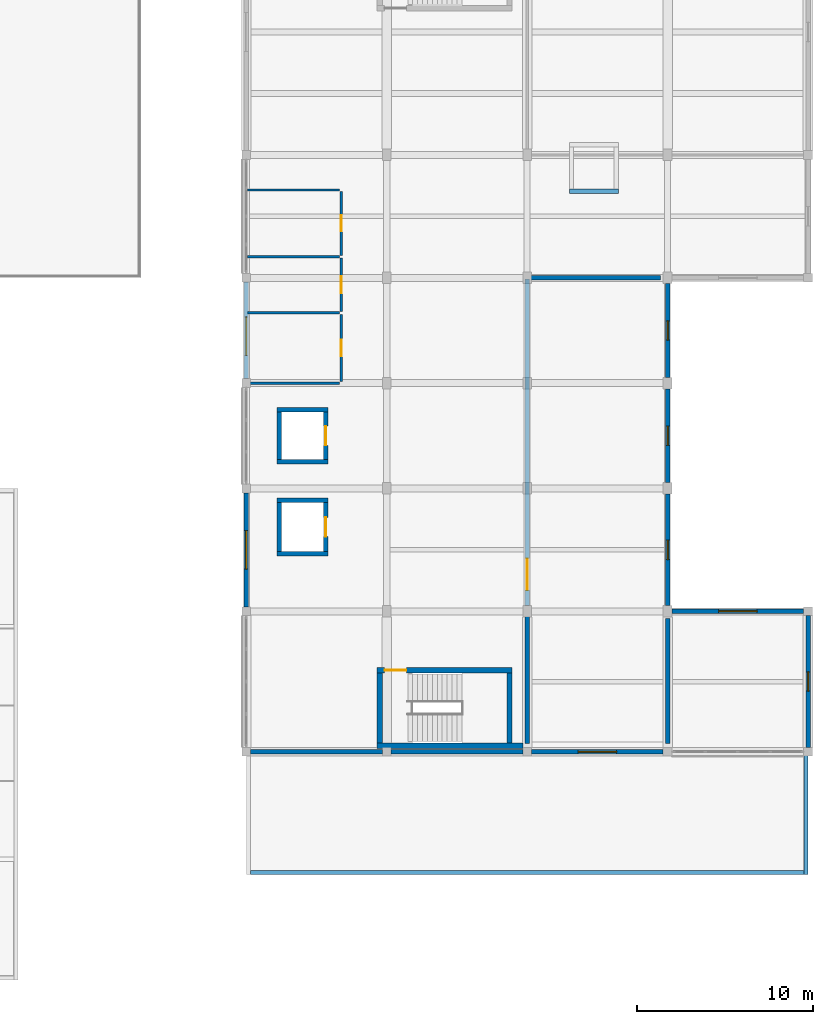
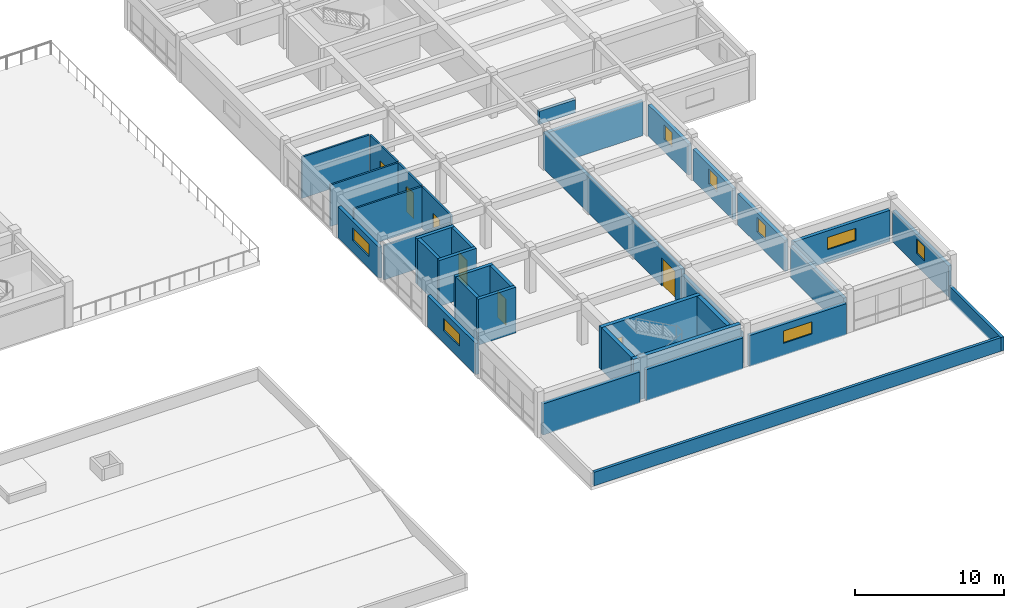
# One storey, part 13 of 22: 36 walls, 8 windows, 7 doors, 15 openings.
"""IFC4 building model written with IfcOpenShell, lengths in metres."""

from ifc_helpers import new_model, si_unit, direction, frame, frame_2d, origin, place, context, subcontext, project, spatial, rectangle, extrude, material, layer, layer_set, type_object, element, fill, save


model = new_model("IFC4")

# Units and contexts
model_context = context("Model", 3, precision=1e-05, world=origin(), true_north=direction((0.0, 1.0)))
body_context = subcontext(model_context, "Body", "Model", "MODEL_VIEW")
ifc_project = project(units=[si_unit("LENGTHUNIT", "METRE"), si_unit("AREAUNIT", "SQUARE_METRE"), si_unit("VOLUMEUNIT", "CUBIC_METRE"), si_unit("PLANEANGLEUNIT", "RADIAN"), si_unit("MASSUNIT", "GRAM", prefix="KILO")], contexts=[model_context])

# Site, building, storey
site_placement = place(None, origin())
site = spatial("IfcSite", under=ifc_project, at=site_placement, CompositionType="ELEMENT")
building_placement = place(site_placement, origin())
building = spatial("IfcBuilding", under=site, at=building_placement, Name="Naurynzar Civic Courthouse", CompositionType="ELEMENT")
storey_placement = place(building_placement, frame((0.0, 0.0, 25.800048828125)))
storey = spatial("IfcBuildingStorey", under=building, at=storey_placement, Name="L07", CompositionType="ELEMENT", Elevation=25.800048828125)

# Walls
ifc_material_1 = material(Name="Acoustic Double-Stud Gypsum Partition")
ifc_layer_1 = layer(ifc_material_1, 0.2548828125)
ifc_layer_set_1 = layer_set([ifc_layer_1], Name="WL-ACOUSTIC-255")
wall_type_1 = type_object("IfcWallType", Name="WL-ACOUSTIC-255", PredefinedType="PARTITIONING", material=ifc_layer_set_1)
wall_1_placement = place(storey_placement, frame((146.080078125, 44.0, 0.0), z_axis=(0.0, 0.0, 1.0), x_axis=(1.0, 0.0, 0.0)))
element("IfcWall", 1, at=wall_1_placement, inside=storey, type_object=wall_type_1, Name="V5 interior partition L07.721", PredefinedType="PARTITIONING", context=body_context, shape_type="SweptSolid", body=[
    extrude(rectangle(XDim=7.52001953125, YDim=0.2548828125, at=frame_2d((3.760009765625, 0.0))), origin(), (0.0, 0.0, 1.0), 2.820068359375),
])
wall_2_placement = place(storey_placement, frame((146.0, 17.47998046875, 0.0), z_axis=(0.0, 0.0, 1.0), x_axis=(0.0, 1.0, 0.0)))
element("IfcWall", 2, at=wall_2_placement, inside=storey, type_object=wall_type_1, Name="V5 interior partition L07.760a", PredefinedType="PARTITIONING", context=body_context, shape_type="SweptSolid", body=[
    extrude(rectangle(XDim=7.844970703125, YDim=0.2548828125, at=frame_2d((3.92236328125, 0.0))), origin(), (0.0, 0.0, 1.0), 2.570068359375),
])

# Wall, opening, door
wall_3_placement = place(storey_placement, frame((146.0, 25.324951171875, 0.0), z_axis=(0.0, 0.0, 1.0), x_axis=(0.0, 1.0, 0.0)))
wall_3 = element("IfcWall", 3, at=wall_3_placement, inside=storey, type_object=wall_type_1, Name="V5 interior partition L07.760ab", PredefinedType="PARTITIONING", context=body_context, shape_type="SweptSolid", body=[
    extrude(rectangle(XDim=18.594970703125, YDim=0.2548828125, at=frame_2d((9.29736328125, 0.0))), origin(), (0.0, 0.0, 1.0), 2.969970703125),
])
opening_1_placement = place(wall_3_placement, frame((0.884033203125, 0.0, 0.0)))
opening_1 = element("IfcOpeningElement", 4, at=opening_1_placement, cuts=wall_3, Name="Opening D-357", PredefinedType="OPENING", context=body_context, shape_type="SweptSolid", body=[
    extrude(rectangle(XDim=1.800048828125, YDim=2.300048828125, at=frame_2d((0.89990234375, 1.14990234375))), frame((0.0, 0.137451171875, 0.0), z_axis=(0.0, -1.0, 0.0), x_axis=(1.0, 0.0, 0.0)), (0.0, 0.0, 1.0), 0.27490234375),
])
ifc_material_2 = material(Name="Acoustic Oak Timber Grade A", Category="wood")
door_type_1 = type_object("IfcDoorType", Name="DR-COURT-DBL-1800x2300", OperationType="DOUBLE_DOOR_SINGLE_SWING", PredefinedType="DOOR", material=ifc_material_2)
door_1_placement = place(opening_1_placement, origin())
door_1 = element("IfcDoor", 5, at=door_1_placement, inside=storey, type_object=door_type_1, Name="Interior door D-357 (Criminal Appellate Courtroom 7A)", OperationType="DOUBLE_DOOR_SINGLE_SWING", OverallHeight=2.300048828125, OverallWidth=1.800048828125, PredefinedType="DOOR", context=body_context, shape_type="SweptSolid", body=[
    extrude(rectangle(XDim=1.800048828125, YDim=2.300048828125, at=frame_2d((0.89990234375, 1.14990234375))), frame((0.0, 0.02490234375, 0.0), z_axis=(0.0, -1.0, 0.0), x_axis=(1.0, 0.0, 0.0)), (0.0, 0.0, 1.0), 0.050048828125),
])
fill(opening_1, door_1)

# Wall
wall_4_placement = place(storey_placement, frame((154.0, 17.47998046875, 0.0), z_axis=(0.0, 0.0, 1.0), x_axis=(0.0, 1.0, 0.0)))
element("IfcWall", 6, at=wall_4_placement, inside=storey, type_object=wall_type_1, Name="V5 interior partition L07.763", PredefinedType="PARTITIONING", context=body_context, shape_type="SweptSolid", body=[
    extrude(rectangle(XDim=7.1201171875, YDim=0.2548828125, at=frame_2d((3.56005859375, 0.0))), origin(), (0.0, 0.0, 1.0), 2.570068359375),
])

# Wall, opening, door
ifc_material_3 = material(Name="Concrete C40/50", Category="concrete")
ifc_layer_2 = layer(ifc_material_3, 0.300048828125)
ifc_layer_set_2 = layer_set([ifc_layer_2], Name="WL-CORE-300")
wall_type_2 = type_object("IfcWallType", Name="WL-CORE-300", PredefinedType="SHEAR", material=ifc_layer_set_2)
wall_5_placement = place(storey_placement, frame((145.14990234375, 21.64990234375, 0.0), z_axis=(0.0, 0.0, 1.0), x_axis=(-1.0, 0.0, 0.0)))
wall_5 = element("IfcWall", 7, at=wall_5_placement, inside=storey, type_object=wall_type_2, Name="Stair ST-V5A enclosure wall north L07", PredefinedType="SHEAR", context=body_context, shape_type="SweptSolid", body=[
    extrude(rectangle(XDim=7.699951171875, YDim=0.300048828125, at=frame_2d((3.85009765625, 0.0))), origin(), (0.0, 0.0, 1.0), 3.469970703125),
])
opening_2_placement = place(wall_5_placement, frame((6.02490234375, 0.0, 0.0)))
opening_2 = element("IfcOpeningElement", 8, at=opening_2_placement, cuts=wall_5, Name="Opening SD-066", PredefinedType="OPENING", context=body_context, shape_type="SweptSolid", body=[
    extrude(rectangle(XDim=1.25, YDim=2.14990234375, at=frame_2d((0.625, 1.074951171875))), frame((0.0, 0.159912109375, 0.0), z_axis=(0.0, -1.0, 0.0), x_axis=(1.0, 0.0, 0.0)), (0.0, 0.0, 1.0), 0.320068359375),
])
ifc_material_4 = material(Name="Powder-Coated Galvanised Steel", Category="steel")
door_type_2 = type_object("IfcDoorType", Name="DR-STAIR-1250x2150", OperationType="NOTDEFINED", PredefinedType="DOOR", material=ifc_material_4)
door_2_placement = place(opening_2_placement, origin())
door_2 = element("IfcDoor", 9, at=door_2_placement, inside=storey, type_object=door_type_2, Name="Stair ST-V5A fire door L07", OperationType="SINGLE_SWING_RIGHT", OverallHeight=2.14990234375, OverallWidth=1.25, PredefinedType="DOOR", context=body_context, shape_type="SweptSolid", body=[
    extrude(rectangle(XDim=1.25, YDim=2.14990234375, at=frame_2d((0.625, 1.074951171875))), frame((0.0, 0.02490234375, 0.0), z_axis=(0.0, -1.0, 0.0), x_axis=(1.0, 0.0, 0.0)), (0.0, 0.0, 1.0), 0.050048828125),
])
fill(opening_2, door_2)

# Walls
wall_6_placement = place(storey_placement, frame((137.449951171875, 17.35009765625, 0.0), z_axis=(0.0, 0.0, 1.0), x_axis=(1.0, 0.0, 0.0)))
element("IfcWall", 10, at=wall_6_placement, inside=storey, type_object=wall_type_2, Name="Stair ST-V5A enclosure wall south L07", PredefinedType="SHEAR", context=body_context, shape_type="SweptSolid", body=[
    extrude(rectangle(XDim=8.320068359375, YDim=0.300048828125, at=frame_2d((4.16015625, 0.0))), origin(), (0.0, 0.0, 1.0), 3.469970703125),
])
for number, where, z_axis, x_axis, name in (
    (11, (137.60009765625, 21.4951171875, 0.0), (0.0, 0.0, 1.0), (0.0, -1.0, 0.0), "Stair ST-V5A enclosure wall west L07"),
    (12, (145.0, 17.5048828125, 0.0), (0.0, 0.0, 1.0), (0.0, 1.0, 0.0), "Stair ST-V5A enclosure wall east L07"),
):
    element("IfcWall", number, at=place(storey_placement, frame(where, z_axis=z_axis, x_axis=x_axis)), inside=storey, type_object=wall_type_2, Name=name, PredefinedType="SHEAR", context=body_context, shape_type="SweptSolid", body=[
        extrude(rectangle(XDim=3.990234375, YDim=0.300048828125, at=frame_2d((1.9951171875, 0.0))), origin(), (0.0, 0.0, 1.0), 3.469970703125),
    ])

# Wall, opening, window
ifc_material_5 = material(Name="Precast concrete C40/50", Category="concrete")
ifc_layer_3 = layer(ifc_material_5, 0.260009765625)
ifc_layer_set_3 = layer_set([ifc_layer_3], Name="WL-EXT-260")
wall_type_3 = type_object("IfcWallType", Name="WL-EXT-260", PredefinedType="SOLIDWALL", material=ifc_layer_set_3)
wall_7_placement = place(storey_placement, frame((130.0, 25.25, 0.0), z_axis=(0.0, 0.0, 1.0), x_axis=(0.0, 1.0, 0.0)))
wall_7 = element("IfcWall", 13, at=wall_7_placement, inside=storey, type_object=wall_type_3, Name="V5 exterior wall west L07.2.1", PredefinedType="SOLIDWALL", context=body_context, shape_type="SweptSolid", body=[
    extrude(rectangle(XDim=6.5, YDim=0.260009765625, at=frame_2d((3.25, 0.0))), origin(), (0.0, 0.0, 1.0), 2.550048828125),
])
opening_3_placement = place(wall_7_placement, frame((2.14990234375, 0.0, 1.0)))
opening_3 = element("IfcOpeningElement", 14, at=opening_3_placement, cuts=wall_7, Name="Opening WN-18", PredefinedType="OPENING", context=body_context, shape_type="SweptSolid", body=[
    extrude(rectangle(XDim=2.199951171875, YDim=1.0, at=frame_2d((1.10009765625, 0.5))), frame((0.0, 0.139892578125, 0.0), z_axis=(0.0, -1.0, 0.0), x_axis=(1.0, 0.0, 0.0)), (0.0, 0.0, 1.0), 0.280029296875),
])
ifc_material_6 = material(Name="Tempered Laminated Low-E Glass", Category="glass")
window_type_1 = type_object("IfcWindowType", Name="WIN-CLER-2200x1000", PartitioningType="DOUBLE_PANEL_VERTICAL", PredefinedType="WINDOW", material=ifc_material_6)
window_1_placement = place(opening_3_placement, origin())
window_1 = element("IfcWindow", 15, at=window_1_placement, inside=storey, type_object=window_type_1, Name="V5 window 352 L07", OverallHeight=1.0, OverallWidth=2.199951171875, PartitioningType="SINGLE_PANEL", PredefinedType="WINDOW", context=body_context, shape_type="SweptSolid", body=[
    extrude(rectangle(XDim=2.199951171875, YDim=1.0, at=frame_2d((1.10009765625, 0.5))), frame((0.0, 0.030029296875, 0.0), z_axis=(0.0, -1.0, 0.0), x_axis=(1.0, 0.0, 0.0)), (0.0, 0.0, 1.0), 0.06005859375),
])
fill(opening_3, window_1)

wall_8_placement = place(storey_placement, frame((130.0, 38.25, 0.0), z_axis=(0.0, 0.0, 1.0), x_axis=(0.0, 1.0, 0.0)))
wall_8 = element("IfcWall", 16, at=wall_8_placement, inside=storey, type_object=wall_type_3, Name="V5 exterior wall west L07.4.1", PredefinedType="SOLIDWALL", context=body_context, shape_type="SweptSolid", body=[
    extrude(rectangle(XDim=5.5, YDim=0.260009765625, at=frame_2d((2.75, 0.0))), origin(), (0.0, 0.0, 1.0), 2.550048828125),
])
opening_4_placement = place(wall_8_placement, frame((1.330078125, 0.0, 1.0)))
opening_4 = element("IfcOpeningElement", 17, at=opening_4_placement, cuts=wall_8, Name="Opening WN-18", PredefinedType="OPENING", context=body_context, shape_type="SweptSolid", body=[
    extrude(rectangle(XDim=2.199951171875, YDim=1.0, at=frame_2d((1.10009765625, 0.5))), frame((0.0, 0.139892578125, 0.0), z_axis=(0.0, -1.0, 0.0), x_axis=(1.0, 0.0, 0.0)), (0.0, 0.0, 1.0), 0.280029296875),
])
window_2_placement = place(opening_4_placement, origin())
window_2 = element("IfcWindow", 18, at=window_2_placement, inside=storey, type_object=window_type_1, Name="V5 window 353 L07", OverallHeight=1.0, OverallWidth=2.199951171875, PartitioningType="SINGLE_PANEL", PredefinedType="WINDOW", context=body_context, shape_type="SweptSolid", body=[
    extrude(rectangle(XDim=2.199951171875, YDim=1.0, at=frame_2d((1.10009765625, 0.5))), frame((0.0, 0.030029296875, 0.0), z_axis=(0.0, -1.0, 0.0), x_axis=(1.0, 0.0, 0.0)), (0.0, 0.0, 1.0), 0.06005859375),
])
fill(opening_4, window_2)

wall_9_placement = place(storey_placement, frame((154.0, 43.675048828125, 0.0), z_axis=(0.0, 0.0, 1.0), x_axis=(0.0, -1.0, 0.0)))
wall_9 = element("IfcWall", 19, at=wall_9_placement, inside=storey, type_object=wall_type_3, Name="V5 exterior wall notch_w L07.1.1", PredefinedType="SOLIDWALL", context=body_context, shape_type="SweptSolid", body=[
    extrude(rectangle(XDim=5.35009765625, YDim=0.260009765625, at=frame_2d((2.675048828125, 0.0))), origin(), (0.0, 0.0, 1.0), 2.550048828125),
])
opening_5_placement = place(wall_9_placement, frame((2.125, 0.0, 1.0)))
opening_5 = element("IfcOpeningElement", 20, at=opening_5_placement, cuts=wall_9, Name="Opening WN-15", PredefinedType="OPENING", context=body_context, shape_type="SweptSolid", body=[
    extrude(rectangle(XDim=1.10009765625, YDim=1.199951171875, at=frame_2d((0.550048828125, 0.60009765625))), frame((0.0, 0.139892578125, 0.0), z_axis=(0.0, -1.0, 0.0), x_axis=(1.0, 0.0, 0.0)), (0.0, 0.0, 1.0), 0.280029296875),
])
ifc_material_7 = material(Name="Tempered Laminated Low-E Glass", Category="glass")
window_type_2 = type_object("IfcWindowType", Name="WIN-SEC-1100x1200", PartitioningType="SINGLE_PANEL", PredefinedType="WINDOW", material=ifc_material_7)
window_3_placement = place(opening_5_placement, origin())
window_3 = element("IfcWindow", 21, at=window_3_placement, inside=storey, type_object=window_type_2, Name="V5 window 359 L07", OverallHeight=1.199951171875, OverallWidth=1.10009765625, PartitioningType="SINGLE_PANEL", PredefinedType="WINDOW", context=body_context, shape_type="SweptSolid", body=[
    extrude(rectangle(XDim=1.10009765625, YDim=1.199951171875, at=frame_2d((0.550048828125, 0.60009765625))), frame((0.0, 0.030029296875, 0.0), z_axis=(0.0, -1.0, 0.0), x_axis=(1.0, 0.0, 0.0)), (0.0, 0.0, 1.0), 0.06005859375),
])
fill(opening_5, window_3)

wall_10_placement = place(storey_placement, frame((154.0, 37.675048828125, 0.0), z_axis=(0.0, 0.0, 1.0), x_axis=(0.0, -1.0, 0.0)))
wall_10 = element("IfcWall", 22, at=wall_10_placement, inside=storey, type_object=wall_type_3, Name="V5 exterior wall notch_w L07.2.1", PredefinedType="SOLIDWALL", context=body_context, shape_type="SweptSolid", body=[
    extrude(rectangle(XDim=5.35009765625, YDim=0.260009765625, at=frame_2d((2.675048828125, 0.0))), origin(), (0.0, 0.0, 1.0), 2.550048828125),
])
opening_6_placement = place(wall_10_placement, frame((2.125, 0.0, 1.0)))
opening_6 = element("IfcOpeningElement", 23, at=opening_6_placement, cuts=wall_10, Name="Opening WN-15", PredefinedType="OPENING", context=body_context, shape_type="SweptSolid", body=[
    extrude(rectangle(XDim=1.10009765625, YDim=1.199951171875, at=frame_2d((0.550048828125, 0.60009765625))), frame((0.0, 0.139892578125, 0.0), z_axis=(0.0, -1.0, 0.0), x_axis=(1.0, 0.0, 0.0)), (0.0, 0.0, 1.0), 0.280029296875),
])
window_4_placement = place(opening_6_placement, origin())
window_4 = element("IfcWindow", 24, at=window_4_placement, inside=storey, type_object=window_type_2, Name="V5 window 360 L07", OverallHeight=1.199951171875, OverallWidth=1.10009765625, PartitioningType="SINGLE_PANEL", PredefinedType="WINDOW", context=body_context, shape_type="SweptSolid", body=[
    extrude(rectangle(XDim=1.10009765625, YDim=1.199951171875, at=frame_2d((0.550048828125, 0.60009765625))), frame((0.0, 0.030029296875, 0.0), z_axis=(0.0, -1.0, 0.0), x_axis=(1.0, 0.0, 0.0)), (0.0, 0.0, 1.0), 0.06005859375),
])
fill(opening_6, window_4)

wall_11_placement = place(storey_placement, frame((154.0, 31.675048828125, 0.0), z_axis=(0.0, 0.0, 1.0), x_axis=(0.0, -1.0, 0.0)))
wall_11 = element("IfcWall", 25, at=wall_11_placement, inside=storey, type_object=wall_type_3, Name="V5 exterior wall notch_w L07.3.1", PredefinedType="SOLIDWALL", context=body_context, shape_type="SweptSolid", body=[
    extrude(rectangle(XDim=6.35009765625, YDim=0.260009765625, at=frame_2d((3.175048828125, 0.0))), origin(), (0.0, 0.0, 1.0), 2.550048828125),
])
opening_7_placement = place(wall_11_placement, frame((2.625, 0.0, 1.0)))
opening_7 = element("IfcOpeningElement", 26, at=opening_7_placement, cuts=wall_11, Name="Opening WN-15", PredefinedType="OPENING", context=body_context, shape_type="SweptSolid", body=[
    extrude(rectangle(XDim=1.10009765625, YDim=1.199951171875, at=frame_2d((0.550048828125, 0.60009765625))), frame((0.0, 0.139892578125, 0.0), z_axis=(0.0, -1.0, 0.0), x_axis=(1.0, 0.0, 0.0)), (0.0, 0.0, 1.0), 0.280029296875),
])
window_5_placement = place(opening_7_placement, origin())
window_5 = element("IfcWindow", 27, at=window_5_placement, inside=storey, type_object=window_type_2, Name="V5 window 361 L07", OverallHeight=1.199951171875, OverallWidth=1.10009765625, PartitioningType="SINGLE_PANEL", PredefinedType="WINDOW", context=body_context, shape_type="SweptSolid", body=[
    extrude(rectangle(XDim=1.10009765625, YDim=1.199951171875, at=frame_2d((0.550048828125, 0.60009765625))), frame((0.0, 0.030029296875, 0.0), z_axis=(0.0, -1.0, 0.0), x_axis=(1.0, 0.0, 0.0)), (0.0, 0.0, 1.0), 0.06005859375),
])
fill(opening_7, window_5)

wall_12_placement = place(storey_placement, frame((154.25, 25.0, 0.0), z_axis=(0.0, 0.0, 1.0), x_axis=(1.0, 0.0, 0.0)))
wall_12 = element("IfcWall", 28, at=wall_12_placement, inside=storey, type_object=wall_type_3, Name="V5 exterior wall notch_s L07.1.1", PredefinedType="SOLIDWALL", context=body_context, shape_type="SweptSolid", body=[
    extrude(rectangle(XDim=7.5, YDim=0.260009765625, at=frame_2d((3.75, 0.0))), origin(), (0.0, 0.0, 1.0), 2.550048828125),
])
opening_8_placement = place(wall_12_placement, frame((2.64990234375, 0.0, 1.0)))
opening_8 = element("IfcOpeningElement", 29, at=opening_8_placement, cuts=wall_12, Name="Opening WN-18", PredefinedType="OPENING", context=body_context, shape_type="SweptSolid", body=[
    extrude(rectangle(XDim=2.199951171875, YDim=1.0, at=frame_2d((1.10009765625, 0.5))), frame((0.0, 0.139892578125, 0.0), z_axis=(0.0, -1.0, 0.0), x_axis=(1.0, 0.0, 0.0)), (0.0, 0.0, 1.0), 0.280029296875),
])
window_6_placement = place(opening_8_placement, origin())
window_6 = element("IfcWindow", 30, at=window_6_placement, inside=storey, type_object=window_type_1, Name="V5 window 362 L07", OverallHeight=1.0, OverallWidth=2.199951171875, PartitioningType="SINGLE_PANEL", PredefinedType="WINDOW", context=body_context, shape_type="SweptSolid", body=[
    extrude(rectangle(XDim=2.199951171875, YDim=1.0, at=frame_2d((1.10009765625, 0.5))), frame((0.0, 0.030029296875, 0.0), z_axis=(0.0, -1.0, 0.0), x_axis=(1.0, 0.0, 0.0)), (0.0, 0.0, 1.0), 0.06005859375),
])
fill(opening_8, window_6)

wall_13_placement = place(storey_placement, frame((162.0, 24.75, 0.0), z_axis=(0.0, 0.0, 1.0), x_axis=(0.0, -1.0, 0.0)))
wall_13 = element("IfcWall", 31, at=wall_13_placement, inside=storey, type_object=wall_type_3, Name="V5 exterior wall east_south L07.1.1", PredefinedType="SOLIDWALL", context=body_context, shape_type="SweptSolid", body=[
    extrude(rectangle(XDim=7.5, YDim=0.260009765625, at=frame_2d((3.75, 0.0))), origin(), (0.0, 0.0, 1.0), 2.550048828125),
])
opening_9_placement = place(wall_13_placement, frame((3.199951171875, 0.0, 1.0)))
opening_9 = element("IfcOpeningElement", 32, at=opening_9_placement, cuts=wall_13, Name="Opening WN-15", PredefinedType="OPENING", context=body_context, shape_type="SweptSolid", body=[
    extrude(rectangle(XDim=1.10009765625, YDim=1.199951171875, at=frame_2d((0.550048828125, 0.60009765625))), frame((0.0, 0.139892578125, 0.0), z_axis=(0.0, -1.0, 0.0), x_axis=(1.0, 0.0, 0.0)), (0.0, 0.0, 1.0), 0.280029296875),
])
window_7_placement = place(opening_9_placement, origin())
window_7 = element("IfcWindow", 33, at=window_7_placement, inside=storey, type_object=window_type_2, Name="V5 window 363 L07", OverallHeight=1.199951171875, OverallWidth=1.10009765625, PartitioningType="SINGLE_PANEL", PredefinedType="WINDOW", context=body_context, shape_type="SweptSolid", body=[
    extrude(rectangle(XDim=1.10009765625, YDim=1.199951171875, at=frame_2d((0.550048828125, 0.60009765625))), frame((0.0, 0.030029296875, 0.0), z_axis=(0.0, -1.0, 0.0), x_axis=(1.0, 0.0, 0.0)), (0.0, 0.0, 1.0), 0.06005859375),
])
fill(opening_9, window_7)

wall_14_placement = place(storey_placement, frame((153.75, 17.0, 0.0), z_axis=(0.0, 0.0, 1.0), x_axis=(-1.0, 0.0, 0.0)))
wall_14 = element("IfcWall", 34, at=wall_14_placement, inside=storey, type_object=wall_type_3, Name="V5 exterior wall south L07.2.1", PredefinedType="SOLIDWALL", context=body_context, shape_type="SweptSolid", body=[
    extrude(rectangle(XDim=7.5, YDim=0.260009765625, at=frame_2d((3.75, 0.0))), origin(), (0.0, 0.0, 1.0), 2.550048828125),
])
opening_10_placement = place(wall_14_placement, frame((2.64990234375, 0.0, 1.0)))
opening_10 = element("IfcOpeningElement", 35, at=opening_10_placement, cuts=wall_14, Name="Opening WN-18", PredefinedType="OPENING", context=body_context, shape_type="SweptSolid", body=[
    extrude(rectangle(XDim=2.199951171875, YDim=1.0, at=frame_2d((1.10009765625, 0.5))), frame((0.0, 0.139892578125, 0.0), z_axis=(0.0, -1.0, 0.0), x_axis=(1.0, 0.0, 0.0)), (0.0, 0.0, 1.0), 0.280029296875),
])
window_8_placement = place(opening_10_placement, origin())
window_8 = element("IfcWindow", 36, at=window_8_placement, inside=storey, type_object=window_type_1, Name="V5 window 364 L07", OverallHeight=1.0, OverallWidth=2.199951171875, PartitioningType="SINGLE_PANEL", PredefinedType="WINDOW", context=body_context, shape_type="SweptSolid", body=[
    extrude(rectangle(XDim=2.199951171875, YDim=1.0, at=frame_2d((1.10009765625, 0.5))), frame((0.0, 0.030029296875, 0.0), z_axis=(0.0, -1.0, 0.0), x_axis=(1.0, 0.0, 0.0)), (0.0, 0.0, 1.0), 0.06005859375),
])
fill(opening_10, window_8)

# Walls
for number, where, z_axis, x_axis, name in (
    (37, (145.75, 17.0, 0.0), (0.0, 0.0, 1.0), (-1.0, 0.0, 0.0), "V5 exterior wall south L07.3.1"),
    (38, (137.75, 17.0, 0.0), (0.0, 0.0, 1.0), (-1.0, 0.0, 0.0), "V5 exterior wall south L07.4.1"),
):
    element("IfcWall", number, at=place(storey_placement, frame(where, z_axis=z_axis, x_axis=x_axis)), inside=storey, type_object=wall_type_3, Name=name, PredefinedType="SOLIDWALL", context=body_context, shape_type="SweptSolid", body=[
        extrude(rectangle(XDim=7.5, YDim=0.260009765625, at=frame_2d((3.75, 0.0))), origin(), (0.0, 0.0, 1.0), 2.550048828125),
    ])
ifc_material_8 = material(Name="Precast concrete C40/50", Category="concrete")
ifc_layer_4 = layer(ifc_material_8, 0.219970703125)
ifc_layer_set_4 = layer_set([ifc_layer_4], Name="WL-PARA-220")
wall_type_4 = type_object("IfcWallType", Name="WL-PARA-220", PredefinedType="PARAPET", material=ifc_layer_set_4)
wall_15_placement = place(storey_placement, frame((161.8798828125, 16.989990234375, 0.0), z_axis=(0.0, 0.0, 1.0), x_axis=(0.0, -1.0, 0.0)))
element("IfcWall", 39, at=wall_15_placement, inside=storey, type_object=wall_type_4, Name="Roof perimeter parapet V5-S7.17", PredefinedType="PARAPET", context=body_context, shape_type="SweptSolid", body=[
    extrude(rectangle(XDim=6.97998046875, YDim=0.219970703125, at=frame_2d((3.489990234375, 0.0))), origin(), (0.0, 0.0, 1.0), 1.119873046875),
])
wall_16_placement = place(storey_placement, frame((161.77001953125, 10.1201171875, 0.0), z_axis=(0.0, 0.0, 1.0), x_axis=(-1.0, 0.0, 0.0)))
element("IfcWall", 40, at=wall_16_placement, inside=storey, type_object=wall_type_4, Name="Roof perimeter parapet V5-S7.18", PredefinedType="PARAPET", context=body_context, shape_type="SweptSolid", body=[
    extrude(rectangle(XDim=31.5400390625, YDim=0.219970703125, at=frame_2d((15.77001953125, 0.0))), origin(), (0.0, 0.0, 1.0), 1.119873046875),
])
ifc_material_9 = material(Name="Moisture-Resistant Plumbing Partition")
ifc_layer_5 = layer(ifc_material_9, 0.139892578125)
ifc_layer_set_5 = layer_set([ifc_layer_5], Name="WL-PART-WC-140")
wall_type_5 = type_object("IfcWallType", Name="WL-PART-WC-140", PredefinedType="PLUMBINGWALL", material=ifc_layer_set_5)
wall_17_placement = place(storey_placement, frame((130.080078125, 38.0, 0.0), z_axis=(0.0, 0.0, 1.0), x_axis=(1.0, 0.0, 0.0)))
element("IfcWall", 41, at=wall_17_placement, inside=storey, type_object=wall_type_5, Name="V5 interior partition L07.719", PredefinedType="PLUMBINGWALL", context=body_context, shape_type="SweptSolid", body=[
    extrude(rectangle(XDim=5.239990234375, YDim=0.139892578125, at=frame_2d((2.6201171875, 0.0))), origin(), (0.0, 0.0, 1.0), 2.820068359375),
])
for number, where, z_axis, x_axis, name in (
    (42, (130.080078125, 42.0, 0.0), (0.0, 0.0, 1.0), (1.0, 0.0, 0.0), "V5 interior partition L07.720"),
    (43, (130.080078125, 45.199951171875, 0.0), (0.0, 0.0, 1.0), (1.0, 0.0, 0.0), "V5 interior partition L07.722"),
    (44, (130.080078125, 49.0, 0.0), (0.0, 0.0, 1.0), (1.0, 0.0, 0.0), "V5 interior partition L07.725"),
):
    element("IfcWall", number, at=place(storey_placement, frame(where, z_axis=z_axis, x_axis=x_axis)), inside=storey, type_object=wall_type_5, Name=name, PredefinedType="PLUMBINGWALL", context=body_context, shape_type="SweptSolid", body=[
        extrude(rectangle(XDim=5.239990234375, YDim=0.139892578125, at=frame_2d((2.6201171875, 0.0))), origin(), (0.0, 0.0, 1.0), 3.389892578125),
    ])

# Wall, opening, door
wall_18_placement = place(storey_placement, frame((135.39990234375, 38.080078125, 0.0), z_axis=(0.0, 0.0, 1.0), x_axis=(0.0, 1.0, 0.0)))
wall_18 = element("IfcWall", 45, at=wall_18_placement, inside=storey, type_object=wall_type_5, Name="V5 interior partition L07.756", PredefinedType="PLUMBINGWALL", context=body_context, shape_type="SweptSolid", body=[
    extrude(rectangle(XDim=3.83984375, YDim=0.139892578125, at=frame_2d((1.919921875, 0.0))), origin(), (0.0, 0.0, 1.0), 3.389892578125),
])
opening_11_placement = place(wall_18_placement, frame((1.4599609375, 0.0, 0.0)))
opening_11 = element("IfcOpeningElement", 46, at=opening_11_placement, cuts=wall_18, Name="Opening D-354", PredefinedType="OPENING", context=body_context, shape_type="SweptSolid", body=[
    extrude(rectangle(XDim=0.919921875, YDim=2.10009765625, at=frame_2d((0.4599609375, 1.050048828125))), frame((0.0, 0.079833984375, 0.0), z_axis=(0.0, -1.0, 0.0), x_axis=(1.0, 0.0, 0.0)), (0.0, 0.0, 1.0), 0.159912109375),
])
ifc_material_10 = material(Name="Acoustic Oak Timber Grade A", Category="wood")
door_type_3 = type_object("IfcDoorType", Name="DR-WC-STD-920x2100", OperationType="NOTDEFINED", PredefinedType="DOOR", material=ifc_material_10)
door_3_placement = place(opening_11_placement, origin())
door_3 = element("IfcDoor", 47, at=door_3_placement, inside=storey, type_object=door_type_3, Name="Interior door D-354 (Public WC V5)", OperationType="SINGLE_SWING_RIGHT", OverallHeight=2.10009765625, OverallWidth=0.919921875, PredefinedType="DOOR", context=body_context, shape_type="SweptSolid", body=[
    extrude(rectangle(XDim=0.919921875, YDim=2.10009765625, at=frame_2d((0.4599609375, 1.050048828125))), frame((0.0, 0.02490234375, 0.0), z_axis=(0.0, -1.0, 0.0), x_axis=(1.0, 0.0, 0.0)), (0.0, 0.0, 1.0), 0.050048828125),
])
fill(opening_11, door_3)

wall_19_placement = place(storey_placement, frame((135.39990234375, 42.080078125, 0.0), z_axis=(0.0, 0.0, 1.0), x_axis=(0.0, 1.0, 0.0)))
wall_19 = element("IfcWall", 48, at=wall_19_placement, inside=storey, type_object=wall_type_5, Name="V5 interior partition L07.757", PredefinedType="PLUMBINGWALL", context=body_context, shape_type="SweptSolid", body=[
    extrude(rectangle(XDim=3.0400390625, YDim=0.139892578125, at=frame_2d((1.52001953125, 0.0))), origin(), (0.0, 0.0, 1.0), 3.389892578125),
])
opening_12_placement = place(wall_19_placement, frame((1.0400390625, 0.0, 0.0)))
opening_12 = element("IfcOpeningElement", 49, at=opening_12_placement, cuts=wall_19, Name="Opening D-355", PredefinedType="OPENING", context=body_context, shape_type="SweptSolid", body=[
    extrude(rectangle(XDim=0.9599609375, YDim=2.10009765625, at=frame_2d((0.47998046875, 1.050048828125))), frame((0.0, 0.079833984375, 0.0), z_axis=(0.0, -1.0, 0.0), x_axis=(1.0, 0.0, 0.0)), (0.0, 0.0, 1.0), 0.159912109375),
])
ifc_material_11 = material(Name="Acoustic Oak Timber Grade A", Category="wood")
door_type_4 = type_object("IfcDoorType", Name="DR-WC-ACC-960x2100", OperationType="NOTDEFINED", PredefinedType="DOOR", material=ifc_material_11)
door_4_placement = place(opening_12_placement, origin())
door_4 = element("IfcDoor", 50, at=door_4_placement, inside=storey, type_object=door_type_4, Name="Interior door D-355 (Accessible WC V5)", OperationType="SINGLE_SWING_LEFT", OverallHeight=2.10009765625, OverallWidth=0.9599609375, PredefinedType="DOOR", context=body_context, shape_type="SweptSolid", body=[
    extrude(rectangle(XDim=0.9599609375, YDim=2.10009765625, at=frame_2d((0.47998046875, 1.050048828125))), frame((0.0, 0.02490234375, 0.0), z_axis=(0.0, -1.0, 0.0), x_axis=(1.0, 0.0, 0.0)), (0.0, 0.0, 1.0), 0.050048828125),
])
fill(opening_12, door_4)

wall_20_placement = place(storey_placement, frame((135.39990234375, 45.280029296875, 0.0), z_axis=(0.0, 0.0, 1.0), x_axis=(0.0, 1.0, 0.0)))
wall_20 = element("IfcWall", 51, at=wall_20_placement, inside=storey, type_object=wall_type_5, Name="V5 interior partition L07.758", PredefinedType="PLUMBINGWALL", context=body_context, shape_type="SweptSolid", body=[
    extrude(rectangle(XDim=3.639892578125, YDim=0.139892578125, at=frame_2d((1.81982421875, 0.0))), origin(), (0.0, 0.0, 1.0), 3.389892578125),
])
opening_13_placement = place(wall_20_placement, frame((1.360107421875, 0.0, 0.0)))
opening_13 = element("IfcOpeningElement", 52, at=opening_13_placement, cuts=wall_20, Name="Opening D-356", PredefinedType="OPENING", context=body_context, shape_type="SweptSolid", body=[
    extrude(rectangle(XDim=0.919921875, YDim=2.10009765625, at=frame_2d((0.4599609375, 1.050048828125))), frame((0.0, 0.079833984375, 0.0), z_axis=(0.0, -1.0, 0.0), x_axis=(1.0, 0.0, 0.0)), (0.0, 0.0, 1.0), 0.159912109375),
])
door_5_placement = place(opening_13_placement, origin())
door_5 = element("IfcDoor", 53, at=door_5_placement, inside=storey, type_object=door_type_3, Name="Interior door D-356 (Staff WC V5)", OperationType="SINGLE_SWING_RIGHT", OverallHeight=2.10009765625, OverallWidth=0.919921875, PredefinedType="DOOR", context=body_context, shape_type="SweptSolid", body=[
    extrude(rectangle(XDim=0.919921875, YDim=2.10009765625, at=frame_2d((0.4599609375, 1.050048828125))), frame((0.0, 0.02490234375, 0.0), z_axis=(0.0, -1.0, 0.0), x_axis=(1.0, 0.0, 0.0)), (0.0, 0.0, 1.0), 0.050048828125),
])
fill(opening_13, door_5)

# Walls
ifc_material_12 = material(Name="Concrete C40/50", Category="concrete")
ifc_layer_6 = layer(ifc_material_12, 0.25)
ifc_layer_set_6 = layer_set([ifc_layer_6], Name="WL-SHAFT-250")
wall_type_6 = type_object("IfcWallType", Name="WL-SHAFT-250", PredefinedType="SHEAR", material=ifc_layer_set_6)
for number, where, z_axis, x_axis, name in (
    (54, (131.75, 33.52490234375, 0.0), (0.0, 0.0, 1.0), (1.0, 0.0, 0.0), "Lift LP-05 shaft wall south L07"),
    (55, (134.64990234375, 36.47509765625, 0.0), (0.0, 0.0, 1.0), (-1.0, 0.0, 0.0), "Lift LP-05 shaft wall north L07"),
):
    element("IfcWall", number, at=place(storey_placement, frame(where, z_axis=z_axis, x_axis=x_axis)), inside=storey, type_object=wall_type_6, Name=name, PredefinedType="SHEAR", context=body_context, shape_type="SweptSolid", body=[
        extrude(rectangle(XDim=2.89990234375, YDim=0.25, at=frame_2d((1.449951171875, 0.0))), origin(), (0.0, 0.0, 1.0), 3.75),
    ])
wall_21_placement = place(storey_placement, frame((131.875, 36.344970703125, 0.0), z_axis=(0.0, 0.0, 1.0), x_axis=(0.0, -1.0, 0.0)))
element("IfcWall", 56, at=wall_21_placement, inside=storey, type_object=wall_type_6, Name="Lift LP-05 shaft wall west L07", PredefinedType="SHEAR", context=body_context, shape_type="SweptSolid", body=[
    extrude(rectangle(XDim=2.68994140625, YDim=0.25, at=frame_2d((1.344970703125, 0.0))), origin(), (0.0, 0.0, 1.0), 3.75),
])

# Wall, opening, door
wall_22_placement = place(storey_placement, frame((134.52490234375, 33.655029296875, 0.0), z_axis=(0.0, 0.0, 1.0), x_axis=(0.0, 1.0, 0.0)))
wall_22 = element("IfcWall", 57, at=wall_22_placement, inside=storey, type_object=wall_type_6, Name="Lift LP-05 shaft wall east L07", PredefinedType="SHEAR", context=body_context, shape_type="SweptSolid", body=[
    extrude(rectangle(XDim=2.68994140625, YDim=0.25, at=frame_2d((1.344970703125, 0.0))), origin(), (0.0, 0.0, 1.0), 3.75),
])
opening_14_placement = place(wall_22_placement, frame((0.794921875, 0.0, 0.0)))
opening_14 = element("IfcOpeningElement", 58, at=opening_14_placement, cuts=wall_22, Name="Opening LD-075", PredefinedType="OPENING", context=body_context, shape_type="SweptSolid", body=[
    extrude(rectangle(XDim=1.10009765625, YDim=2.14990234375, at=frame_2d((0.550048828125, 1.074951171875))), frame((0.0, 0.135009765625, 0.0), z_axis=(0.0, -1.0, 0.0), x_axis=(1.0, 0.0, 0.0)), (0.0, 0.0, 1.0), 0.27001953125),
])
ifc_material_13 = material(Name="Brushed Stainless Steel 304", Category="steel")
door_type_5 = type_object("IfcDoorType", Name="DR-LIFT-SLIDE-1100x2150", OperationType="DOUBLE_DOOR_SLIDING", PredefinedType="DOOR", material=ifc_material_13)
door_6_placement = place(opening_14_placement, origin())
door_6 = element("IfcDoor", 59, at=door_6_placement, inside=storey, type_object=door_type_5, Name="Lift LP-05 sliding landing door L07", OperationType="DOUBLE_DOOR_SLIDING", OverallHeight=2.14990234375, OverallWidth=1.10009765625, PredefinedType="DOOR", context=body_context, shape_type="SweptSolid", body=[
    extrude(rectangle(XDim=1.10009765625, YDim=2.14990234375, at=frame_2d((0.550048828125, 1.074951171875))), frame((0.0, 0.02490234375, 0.0), z_axis=(0.0, -1.0, 0.0), x_axis=(1.0, 0.0, 0.0)), (0.0, 0.0, 1.0), 0.050048828125),
])
fill(opening_14, door_6)

# Walls
for number, where, z_axis, x_axis, name in (
    (60, (131.75, 28.27490234375, 0.0), (0.0, 0.0, 1.0), (1.0, 0.0, 0.0), "Lift LP-06 shaft wall south L07"),
    (61, (134.64990234375, 31.324951171875, 0.0), (0.0, 0.0, 1.0), (-1.0, 0.0, 0.0), "Lift LP-06 shaft wall north L07"),
):
    element("IfcWall", number, at=place(storey_placement, frame(where, z_axis=z_axis, x_axis=x_axis)), inside=storey, type_object=wall_type_6, Name=name, PredefinedType="SHEAR", context=body_context, shape_type="SweptSolid", body=[
        extrude(rectangle(XDim=2.89990234375, YDim=0.25, at=frame_2d((1.449951171875, 0.0))), origin(), (0.0, 0.0, 1.0), 3.75),
    ])
wall_23_placement = place(storey_placement, frame((131.875, 31.195068359375, 0.0), z_axis=(0.0, 0.0, 1.0), x_axis=(0.0, -1.0, 0.0)))
element("IfcWall", 62, at=wall_23_placement, inside=storey, type_object=wall_type_6, Name="Lift LP-06 shaft wall west L07", PredefinedType="SHEAR", context=body_context, shape_type="SweptSolid", body=[
    extrude(rectangle(XDim=2.7900390625, YDim=0.25, at=frame_2d((1.39501953125, 0.0))), origin(), (0.0, 0.0, 1.0), 3.75),
])

# Wall, opening, door
wall_24_placement = place(storey_placement, frame((134.52490234375, 28.405029296875, 0.0), z_axis=(0.0, 0.0, 1.0), x_axis=(0.0, 1.0, 0.0)))
wall_24 = element("IfcWall", 63, at=wall_24_placement, inside=storey, type_object=wall_type_6, Name="Lift LP-06 shaft wall east L07", PredefinedType="SHEAR", context=body_context, shape_type="SweptSolid", body=[
    extrude(rectangle(XDim=2.7900390625, YDim=0.25, at=frame_2d((1.39501953125, 0.0))), origin(), (0.0, 0.0, 1.0), 3.75),
])
opening_15_placement = place(wall_24_placement, frame((0.844970703125, 0.0, 0.0)))
opening_15 = element("IfcOpeningElement", 64, at=opening_15_placement, cuts=wall_24, Name="Opening LD-084", PredefinedType="OPENING", context=body_context, shape_type="SweptSolid", body=[
    extrude(rectangle(XDim=1.10009765625, YDim=2.14990234375, at=frame_2d((0.550048828125, 1.074951171875))), frame((0.0, 0.135009765625, 0.0), z_axis=(0.0, -1.0, 0.0), x_axis=(1.0, 0.0, 0.0)), (0.0, 0.0, 1.0), 0.27001953125),
])
door_7_placement = place(opening_15_placement, origin())
door_7 = element("IfcDoor", 65, at=door_7_placement, inside=storey, type_object=door_type_5, Name="Lift LP-06 sliding landing door L07", OperationType="DOUBLE_DOOR_SLIDING", OverallHeight=2.14990234375, OverallWidth=1.10009765625, PredefinedType="DOOR", context=body_context, shape_type="SweptSolid", body=[
    extrude(rectangle(XDim=1.10009765625, YDim=2.14990234375, at=frame_2d((0.550048828125, 1.074951171875))), frame((0.0, 0.02490234375, 0.0), z_axis=(0.0, -1.0, 0.0), x_axis=(1.0, 0.0, 0.0)), (0.0, 0.0, 1.0), 0.050048828125),
])
fill(opening_15, door_7)

# Wall
wall_25_placement = place(storey_placement, frame((148.39990234375, 48.925048828125, -0.280029296875), z_axis=(0.0, 0.0, 1.0), x_axis=(1.0, 0.0, 0.0)))
element("IfcWall", 66, at=wall_25_placement, inside=storey, type_object=wall_type_6, Name="Lift LF-CUS overrun shaft wall south", PredefinedType="SHEAR", context=body_context, shape_type="SweptSolid", body=[
    extrude(rectangle(XDim=2.800048828125, YDim=0.25, at=frame_2d((1.39990234375, 0.0))), origin(), (0.0, 0.0, 1.0), 1.080078125),
])

save(model, "model.ifc")
